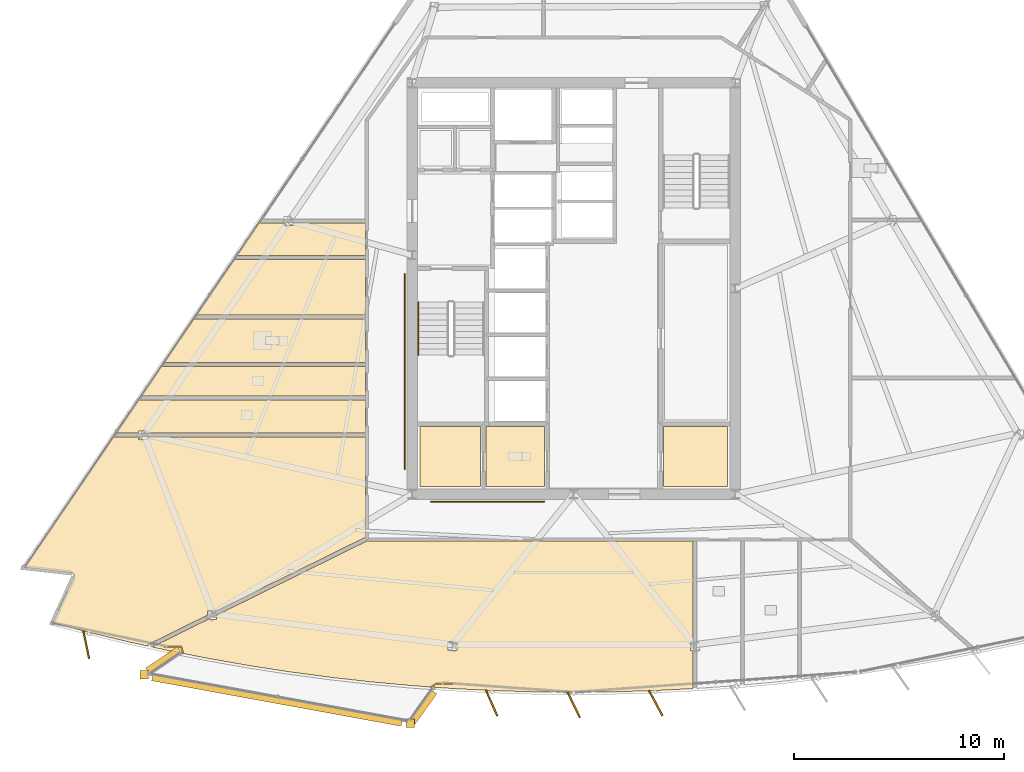
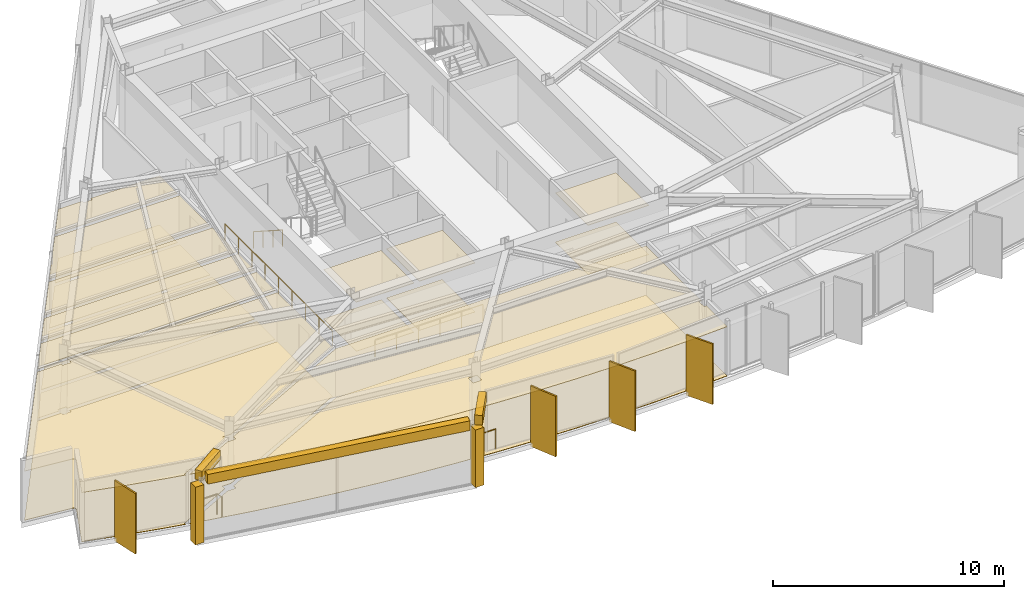
# One storey, part 11 of 14: 25 coverings, 5 railings, 4 shading devices.
"""IFC4 building model written with IfcOpenShell, lengths in metres."""

from ifc_helpers import new_model, si_unit, direction, frame, origin, origin_2d, place, context, subcontext, project, spatial, polyline, rectangle, circle, outline, extrude, material, layer, layer_set, type_object, element, save


model = new_model("IFC4")

# Units and contexts
model_context = context("Model", 3, precision=1e-05, world=origin(), true_north=direction((0.0, 1.0)))
body_context = subcontext(model_context, "Body", "Model", "MODEL_VIEW")
ifc_project = project(units=[si_unit("LENGTHUNIT", "METRE"), si_unit("AREAUNIT", "SQUARE_METRE"), si_unit("VOLUMEUNIT", "CUBIC_METRE"), si_unit("PLANEANGLEUNIT", "RADIAN"), si_unit("MASSUNIT", "GRAM", prefix="KILO")], contexts=[model_context])

# Site, building, storey
site_placement = place(None, origin())
site = spatial("IfcSite", under=ifc_project, at=site_placement, CompositionType="ELEMENT")
building_placement = place(site_placement, origin())
building = spatial("IfcBuilding", under=site, at=building_placement, Name="Savorim Split Tower", CompositionType="ELEMENT")
storey_placement = place(building_placement, frame((0.0, 0.0, 181.800048828125)))
storey = spatial("IfcBuildingStorey", under=building, at=storey_placement, Name="L48", CompositionType="ELEMENT", Elevation=181.800048828125)

# Coverings
ifc_material_1 = material(Name="Mineral Fibre Acoustic Ceiling")
ifc_layer_1 = layer(ifc_material_1, 0.02490234375)
ifc_layer_set_1 = layer_set([ifc_layer_1], Name="COV-CEIL-25")
covering_type_1 = type_object("IfcCoveringType", Name="COV-CEIL-25", PredefinedType="CEILING", material=ifc_layer_set_1)
covering_1_placement = place(storey_placement, frame((0.0, 0.0, 2.599853515625)))
element("IfcCovering", 1, at=covering_1_placement, inside=storey, type_object=covering_type_1, Name="L48 Housekeeping Store Acoustic Ceiling", PredefinedType="CEILING", context=body_context, shape_type="SweptSolid", body=[
    extrude(outline(polyline([(-7.320068359375, -6.179931640625), (-7.320068359375, -9.02001953125), (-4.429931640625, -9.02001953125), (-4.429931640625, -6.179931640625), (-7.320068359375, -6.179931640625)])), origin(), (0.0, 0.0, 1.0), 0.025146484375),
])
covering_2_placement = place(storey_placement, frame((0.0, 0.0, 2.599853515625)))
element("IfcCovering", 2, at=covering_2_placement, inside=storey, type_object=covering_type_1, Name="L48 Accessible WC Acoustic Ceiling", PredefinedType="CEILING", context=body_context, shape_type="SweptSolid", body=[
    extrude(outline(polyline([(-4.169921875, -6.179931640625), (-4.169921875, -9.02001953125), (-1.3798828125, -9.02001953125), (-1.3798828125, -6.179931640625), (-4.169921875, -6.179931640625)])), origin(), (0.0, 0.0, 1.0), 0.025146484375),
])
covering_3_placement = place(storey_placement, frame((0.0, 0.0, 2.599853515625)))
element("IfcCovering", 3, at=covering_3_placement, inside=storey, type_object=covering_type_1, Name="L48 Core IT Server Room Acoustic Ceiling", PredefinedType="CEILING", context=body_context, shape_type="SweptSolid", body=[
    extrude(outline(polyline([(4.280029296875, -6.179931640625), (4.280029296875, -9.02001953125), (7.320068359375, -9.02001953125), (7.320068359375, -6.179931640625), (4.280029296875, -6.179931640625)])), origin(), (0.0, 0.0, 1.0), 0.025146484375),
])
covering_4_placement = place(storey_placement, frame((0.0, 0.0, 2.599853515625)))
element("IfcCovering", 4, at=covering_4_placement, inside=storey, type_object=covering_type_1, Name="L48 Shared Bathroom Acoustic Ceiling", PredefinedType="CEILING", context=body_context, shape_type="SweptSolid", body=[
    extrude(outline(polyline([(-18.104248046875, -1.039306640625), (-19.525390625, -3.12841796875), (-9.919921875, -3.12841796875), (-9.919921875, -1.039306640625), (-18.104248046875, -1.039306640625)])), origin(), (0.0, 0.0, 1.0), 0.025146484375),
])
covering_5_placement = place(storey_placement, frame((0.0, 0.0, 2.599853515625)))
element("IfcCovering", 5, at=covering_5_placement, inside=storey, type_object=covering_type_1, Name="L48 Shared Kitchen Acoustic Ceiling", PredefinedType="CEILING", context=body_context, shape_type="SweptSolid", body=[
    extrude(outline(polyline([(-19.654541015625, -3.318603515625), (-20.6005859375, -4.708984375), (-9.919921875, -4.708984375), (-9.919921875, -3.318603515625), (-19.654541015625, -3.318603515625)])), origin(), (0.0, 0.0, 1.0), 0.025146484375),
])
covering_6_placement = place(storey_placement, frame((0.0, 0.0, 2.599853515625)))
element("IfcCovering", 6, at=covering_6_placement, inside=storey, type_object=covering_type_1, Name="L48 Community Laundry Room Acoustic Ceiling", PredefinedType="CEILING", context=body_context, shape_type="SweptSolid", body=[
    extrude(outline(polyline([(-20.310302734375, -6.37548828125), (-20.310302734375, -6.489990234375), (-9.919921875, -6.489990234375), (-9.919921875, -4.899169921875), (-20.72998046875, -4.899169921875), (-21.81201171875, -6.489990234375), (-20.7314453125, -6.489990234375), (-20.7314453125, -6.37548828125), (-20.310302734375, -6.37548828125)])), origin(), (0.0, 0.0, 1.0), 0.025146484375),
])
covering_7_placement = place(storey_placement, frame((0.0, 0.0, 2.599853515625)))
element("IfcCovering", 7, at=covering_7_placement, inside=storey, type_object=covering_type_1, Name="L48 Maker Workshop Acoustic Ceiling", PredefinedType="CEILING", context=body_context, shape_type="SweptSolid", body=[
    extrude(outline(polyline([(-23.795166015625, -13.255615234375), (-23.794921875, -13.267578125), (-23.7958984375, -13.279541015625), (-23.798095703125, -13.291259765625), (-23.801513671875, -13.302734375), (-23.805908203125, -13.313720703125), (-24.8232421875, -15.528076171875), (-23.080810546875, -15.98388671875), (-21.19140625, -16.436767578125), (-20.253173828125, -16.6416015625), (-20.289794921875, -16.56689453125), (-17.43798828125, -15.1591796875), (-17.43798828125, -14.95166015625), (-17.017578125, -14.95166015625), (-9.9453125, -11.460693359375), (-9.919921875, -11.4482421875), (-9.919921875, -6.679931640625), (-20.310302734375, -6.679931640625), (-20.310302734375, -6.79443359375), (-20.7314453125, -6.79443359375), (-20.7314453125, -6.679931640625), (-21.816162109375, -6.679931640625), (-21.9111328125, -6.679931640625), (-21.9111328125, -6.6357421875), (-26.1669921875, -12.891357421875), (-23.901611328125, -13.144287109375), (-23.889892578125, -13.146484375), (-23.87841796875, -13.1494140625), (-23.8671875, -13.153564453125), (-23.8564453125, -13.158935546875), (-23.84619140625, -13.165283203125), (-23.8369140625, -13.172607421875), (-23.828125, -13.180908203125), (-23.8203125, -13.189697265625), (-23.8134765625, -13.199462890625), (-23.8076171875, -13.2099609375), (-23.802734375, -13.220703125), (-23.799072265625, -13.232177734375), (-23.796630859375, -13.243896484375), (-23.795166015625, -13.255615234375)])), origin(), (0.0, 0.0, 1.0), 0.025146484375),
])
covering_8_placement = place(storey_placement, frame((0.0, 0.0, 2.599853515625)))
element("IfcCovering", 8, at=covering_8_placement, inside=storey, type_object=covering_type_1, Name="L48 Maker Workshop Acoustic Ceiling", PredefinedType="CEILING", context=body_context, shape_type="SweptSolid", body=[
    extrude(outline(polyline([(-1.942626953125, -18.81201171875), (0.0, -18.83203125), (1.942626953125, -18.81201171875), (3.884765625, -18.75244140625), (5.6787109375, -18.66064453125), (5.6787109375, -16.84130859375), (5.563232421875, -16.84130859375), (5.563232421875, -16.422119140625), (5.6787109375, -16.422119140625), (5.6787109375, -11.6201171875), (-9.780029296875, -11.6201171875), (-9.793701171875, -11.619384765625), (-9.807373046875, -11.6171875), (-9.820556640625, -11.614013671875), (-9.823974609375, -11.61279296875), (-17.016845703125, -15.1630859375), (-17.016845703125, -15.37060546875), (-17.437255859375, -15.37060546875), (-20.085693359375, -16.677978515625), (-19.29345703125, -16.85107421875), (-17.38720703125, -17.226318359375), (-15.4736328125, -17.5625), (-13.5537109375, -17.859619140625), (-11.6279296875, -18.1171875), (-9.697509765625, -18.33544921875), (-7.7626953125, -18.51416015625), (-5.824951171875, -18.653076171875), (-3.884765625, -18.75244140625), (-1.942626953125, -18.81201171875)]), holes=[polyline([(-5.984375, -16.84130859375), (-5.563232421875, -16.84130859375), (-5.563232421875, -16.422119140625), (-5.984375, -16.422119140625), (-5.984375, -16.84130859375)])]), origin(), (0.0, 0.0, 1.0), 0.025146484375),
])
covering_9_placement = place(storey_placement, frame((0.0, 0.0, 2.599853515625)))
element("IfcCovering", 9, at=covering_9_placement, inside=storey, type_object=covering_type_1, Name="L48 Co-Living Bedroom Acoustic Ceiling", PredefinedType="CEILING", context=body_context, shape_type="SweptSolid", body=[
    extrude(outline(polyline([(-13.793701171875, 3.518798828125), (-14.878173828125, 3.518798828125), (-14.97314453125, 3.518798828125), (-14.97314453125, 3.56298828125), (-16.056396484375, 1.970703125), (-9.919921875, 1.970703125), (-9.919921875, 3.518798828125), (-13.37255859375, 3.518798828125), (-13.37255859375, 3.404296875), (-13.793701171875, 3.404296875), (-13.793701171875, 3.518798828125)])), origin(), (0.0, 0.0, 1.0), 0.025146484375),
])
covering_10_placement = place(storey_placement, frame((0.0, 0.0, 2.599853515625)))
element("IfcCovering", 10, at=covering_10_placement, inside=storey, type_object=covering_type_1, Name="L48 Quiet Study Room Acoustic Ceiling", PredefinedType="CEILING", context=body_context, shape_type="SweptSolid", body=[
    extrude(outline(polyline([(-16.185791015625, 1.78076171875), (-17.974853515625, -0.849365234375), (-9.919921875, -0.849365234375), (-9.919921875, 1.78076171875), (-16.185791015625, 1.78076171875)])), origin(), (0.0, 0.0, 1.0), 0.025146484375),
])
ifc_material_2 = material(Name="Porcelain Stoneware Flooring", Category="masonry")
ifc_layer_2 = layer(ifc_material_2, 0.02001953125)
ifc_layer_set_2 = layer_set([ifc_layer_2], Name="COV-FLOR-20")
covering_type_2 = type_object("IfcCoveringType", Name="COV-FLOR-20", PredefinedType="FLOORING", material=ifc_layer_set_2)
covering_11_placement = place(storey_placement, origin())
element("IfcCovering", 11, at=covering_11_placement, inside=storey, type_object=covering_type_2, Name="L48 Housekeeping Store Porcelain Flooring", PredefinedType="FLOORING", context=body_context, shape_type="SweptSolid", body=[
    extrude(outline(polyline([(-7.320068359375, -6.179931640625), (-7.320068359375, -9.02001953125), (-4.429931640625, -9.02001953125), (-4.429931640625, -6.179931640625), (-7.320068359375, -6.179931640625)])), origin(), (0.0, 0.0, 1.0), 0.02001953125),
])
covering_12_placement = place(storey_placement, origin())
element("IfcCovering", 12, at=covering_12_placement, inside=storey, type_object=covering_type_2, Name="L48 Accessible WC Porcelain Flooring", PredefinedType="FLOORING", context=body_context, shape_type="SweptSolid", body=[
    extrude(outline(polyline([(-4.169921875, -6.179931640625), (-4.169921875, -9.02001953125), (-1.3798828125, -9.02001953125), (-1.3798828125, -6.179931640625), (-4.169921875, -6.179931640625)])), origin(), (0.0, 0.0, 1.0), 0.02001953125),
])
covering_13_placement = place(storey_placement, origin())
element("IfcCovering", 13, at=covering_13_placement, inside=storey, type_object=covering_type_2, Name="L48 Core IT Server Room Porcelain Flooring", PredefinedType="FLOORING", context=body_context, shape_type="SweptSolid", body=[
    extrude(outline(polyline([(4.280029296875, -6.179931640625), (4.280029296875, -9.02001953125), (7.320068359375, -9.02001953125), (7.320068359375, -6.179931640625), (4.280029296875, -6.179931640625)])), origin(), (0.0, 0.0, 1.0), 0.02001953125),
])
covering_14_placement = place(storey_placement, origin())
element("IfcCovering", 14, at=covering_14_placement, inside=storey, type_object=covering_type_2, Name="L48 Shared Bathroom Porcelain Flooring", PredefinedType="FLOORING", context=body_context, shape_type="SweptSolid", body=[
    extrude(outline(polyline([(-18.104248046875, -1.039306640625), (-19.525390625, -3.12841796875), (-9.919921875, -3.12841796875), (-9.919921875, -1.039306640625), (-18.104248046875, -1.039306640625)])), origin(), (0.0, 0.0, 1.0), 0.02001953125),
])
covering_15_placement = place(storey_placement, origin())
element("IfcCovering", 15, at=covering_15_placement, inside=storey, type_object=covering_type_2, Name="L48 Shared Kitchen Porcelain Flooring", PredefinedType="FLOORING", context=body_context, shape_type="SweptSolid", body=[
    extrude(outline(polyline([(-19.654541015625, -3.318603515625), (-20.6005859375, -4.708984375), (-9.919921875, -4.708984375), (-9.919921875, -3.318603515625), (-19.654541015625, -3.318603515625)])), origin(), (0.0, 0.0, 1.0), 0.02001953125),
])
covering_16_placement = place(storey_placement, origin())
element("IfcCovering", 16, at=covering_16_placement, inside=storey, type_object=covering_type_2, Name="L48 Community Laundry Room Porcelain Flooring", PredefinedType="FLOORING", context=body_context, shape_type="SweptSolid", body=[
    extrude(outline(polyline([(-20.310302734375, -6.37548828125), (-20.310302734375, -6.489990234375), (-9.919921875, -6.489990234375), (-9.919921875, -4.899169921875), (-20.72998046875, -4.899169921875), (-21.81201171875, -6.489990234375), (-20.7314453125, -6.489990234375), (-20.7314453125, -6.37548828125), (-20.310302734375, -6.37548828125)])), origin(), (0.0, 0.0, 1.0), 0.02001953125),
])
covering_17_placement = place(storey_placement, origin())
element("IfcCovering", 17, at=covering_17_placement, inside=storey, type_object=covering_type_2, Name="L48 Maker Workshop Porcelain Flooring", PredefinedType="FLOORING", context=body_context, shape_type="SweptSolid", body=[
    extrude(outline(polyline([(-23.795166015625, -13.255615234375), (-23.794921875, -13.267578125), (-23.7958984375, -13.279541015625), (-23.798095703125, -13.291259765625), (-23.801513671875, -13.302734375), (-23.805908203125, -13.313720703125), (-24.8232421875, -15.528076171875), (-23.080810546875, -15.98388671875), (-21.19140625, -16.436767578125), (-20.253173828125, -16.6416015625), (-20.289794921875, -16.56689453125), (-17.43798828125, -15.1591796875), (-17.43798828125, -14.95166015625), (-17.017578125, -14.95166015625), (-9.9453125, -11.460693359375), (-9.919921875, -11.4482421875), (-9.919921875, -6.679931640625), (-20.310302734375, -6.679931640625), (-20.310302734375, -6.79443359375), (-20.7314453125, -6.79443359375), (-20.7314453125, -6.679931640625), (-21.816162109375, -6.679931640625), (-21.9111328125, -6.679931640625), (-21.9111328125, -6.6357421875), (-26.1669921875, -12.891357421875), (-23.901611328125, -13.144287109375), (-23.889892578125, -13.146484375), (-23.87841796875, -13.1494140625), (-23.8671875, -13.153564453125), (-23.8564453125, -13.158935546875), (-23.84619140625, -13.165283203125), (-23.8369140625, -13.172607421875), (-23.828125, -13.180908203125), (-23.8203125, -13.189697265625), (-23.8134765625, -13.199462890625), (-23.8076171875, -13.2099609375), (-23.802734375, -13.220703125), (-23.799072265625, -13.232177734375), (-23.796630859375, -13.243896484375), (-23.795166015625, -13.255615234375)])), origin(), (0.0, 0.0, 1.0), 0.02001953125),
])
covering_18_placement = place(storey_placement, origin())
element("IfcCovering", 18, at=covering_18_placement, inside=storey, type_object=covering_type_2, Name="L48 Maker Workshop Porcelain Flooring", PredefinedType="FLOORING", context=body_context, shape_type="SweptSolid", body=[
    extrude(outline(polyline([(-1.942626953125, -18.81201171875), (0.0, -18.83203125), (1.942626953125, -18.81201171875), (3.884765625, -18.75244140625), (5.6787109375, -18.66064453125), (5.6787109375, -16.84130859375), (5.563232421875, -16.84130859375), (5.563232421875, -16.422119140625), (5.6787109375, -16.422119140625), (5.6787109375, -11.6201171875), (-9.780029296875, -11.6201171875), (-9.793701171875, -11.619384765625), (-9.807373046875, -11.6171875), (-9.820556640625, -11.614013671875), (-9.823974609375, -11.61279296875), (-17.016845703125, -15.1630859375), (-17.016845703125, -15.37060546875), (-17.437255859375, -15.37060546875), (-20.085693359375, -16.677978515625), (-19.29345703125, -16.85107421875), (-17.38720703125, -17.226318359375), (-15.4736328125, -17.5625), (-13.5537109375, -17.859619140625), (-11.6279296875, -18.1171875), (-9.697509765625, -18.33544921875), (-7.7626953125, -18.51416015625), (-5.824951171875, -18.653076171875), (-3.884765625, -18.75244140625), (-1.942626953125, -18.81201171875)]), holes=[polyline([(-5.984375, -16.84130859375), (-5.563232421875, -16.84130859375), (-5.563232421875, -16.422119140625), (-5.984375, -16.422119140625), (-5.984375, -16.84130859375)])]), origin(), (0.0, 0.0, 1.0), 0.02001953125),
])
covering_19_placement = place(storey_placement, origin())
element("IfcCovering", 19, at=covering_19_placement, inside=storey, type_object=covering_type_2, Name="L48 Co-Living Bedroom Porcelain Flooring", PredefinedType="FLOORING", context=body_context, shape_type="SweptSolid", body=[
    extrude(outline(polyline([(-13.793701171875, 3.518798828125), (-14.878173828125, 3.518798828125), (-14.97314453125, 3.518798828125), (-14.97314453125, 3.56298828125), (-16.056396484375, 1.970703125), (-9.919921875, 1.970703125), (-9.919921875, 3.518798828125), (-13.37255859375, 3.518798828125), (-13.37255859375, 3.404296875), (-13.793701171875, 3.404296875), (-13.793701171875, 3.518798828125)])), origin(), (0.0, 0.0, 1.0), 0.02001953125),
])
covering_20_placement = place(storey_placement, origin())
element("IfcCovering", 20, at=covering_20_placement, inside=storey, type_object=covering_type_2, Name="L48 Quiet Study Room Porcelain Flooring", PredefinedType="FLOORING", context=body_context, shape_type="SweptSolid", body=[
    extrude(outline(polyline([(-16.185791015625, 1.78076171875), (-17.974853515625, -0.849365234375), (-9.919921875, -0.849365234375), (-9.919921875, 1.78076171875), (-16.185791015625, 1.78076171875)])), origin(), (0.0, 0.0, 1.0), 0.02001953125),
])
ifc_material_3 = material(Name="White Porcelain Architectural Cladding")
ifc_layer_3 = layer(ifc_material_3, 0.139892578125)
ifc_layer_set_3 = layer_set([ifc_layer_3], Name="COV-FRM-WHITE")
covering_type_3 = type_object("IfcCoveringType", Name="COV-FRM-WHITE", PredefinedType="CLADDING", material=ifc_layer_set_3)
covering_21_placement = place(storey_placement, frame((0.0, 0.0, 3.079833984375)))
element("IfcCovering", 21, at=covering_21_placement, inside=storey, type_object=covering_type_3, Name="L48 Cantilevered Lounge White Upper Cornice Band W", PredefinedType="CLADDING", context=body_context, shape_type="SweptSolid", body=[
    extrude(outline(polyline([(-18.8935546875, -16.673828125), (-20.386474609375, -17.67919921875), (-20.196533203125, -17.961181640625), (-18.70361328125, -16.955810546875), (-18.8935546875, -16.673828125)])), origin(), (0.0, 0.0, 1.0), 0.510009765625),
])
covering_22_placement = place(storey_placement, frame((0.0, 0.0, 3.079833984375)))
element("IfcCovering", 22, at=covering_22_placement, inside=storey, type_object=covering_type_3, Name="L48 Cantilevered Lounge White Upper Cornice Band F", PredefinedType="CLADDING", context=body_context, shape_type="SweptSolid", body=[
    extrude(outline(polyline([(-20.108642578125, -18.2841796875), (-8.2216796875, -20.453369140625), (-8.16064453125, -20.118896484375), (-20.047607421875, -17.94970703125), (-20.108642578125, -18.2841796875)])), origin(), (0.0, 0.0, 1.0), 0.510009765625),
])
covering_23_placement = place(storey_placement, frame((0.0, 0.0, 3.079833984375)))
element("IfcCovering", 23, at=covering_23_placement, inside=storey, type_object=covering_type_3, Name="L48 Cantilevered Lounge White Upper Cornice Band E", PredefinedType="CLADDING", context=body_context, shape_type="SweptSolid", body=[
    extrude(outline(polyline([(-7.56298828125, -20.371337890625), (-6.51708984375, -18.906494140625), (-6.7939453125, -18.708984375), (-7.83984375, -20.173828125), (-7.56298828125, -20.371337890625)])), origin(), (0.0, 0.0, 1.0), 0.510009765625),
])
covering_24_placement = place(storey_placement, frame((0.0, 0.0, 0.010009765625)))
element("IfcCovering", 24, at=covering_24_placement, inside=storey, type_object=covering_type_3, Name="L48 Cantilevered Lounge White Frame Corner Post 1", PredefinedType="CLADDING", context=body_context, shape_type="SweptSolid", body=[
    extrude(outline(polyline([(-20.672607421875, -18.205810546875), (-20.252685546875, -18.205810546875), (-20.252685546875, -17.785888671875), (-20.672607421875, -17.785888671875), (-20.672607421875, -18.205810546875)])), origin(), (0.0, 0.0, 1.0), 3.050048828125),
])
covering_25_placement = place(storey_placement, frame((0.0, 0.0, 0.010009765625)))
element("IfcCovering", 25, at=covering_25_placement, inside=storey, type_object=covering_type_3, Name="L48 Cantilevered Lounge White Frame Corner Post 2", PredefinedType="CLADDING", context=body_context, shape_type="SweptSolid", body=[
    extrude(outline(polyline([(-7.99853515625, -20.518798828125), (-7.57861328125, -20.518798828125), (-7.57861328125, -20.0986328125), (-7.99853515625, -20.0986328125), (-7.99853515625, -20.518798828125)])), origin(), (0.0, 0.0, 1.0), 3.050048828125),
])

# Railings
ifc_material_4 = material(Name="Galvanised Painted Steel Balustrade", Category="steel")
railing_type_1 = type_object("IfcRailingType", Name="RLG-BAL-1100", PredefinedType="BALUSTRADE", material=ifc_material_4)
railing_1_placement = place(storey_placement, frame((-19.484130859375, -16.66162109375, 0.0)))
element("IfcRailing", 26, at=railing_1_placement, inside=storey, type_object=railing_type_1, Name="L48 Cantilevered Lounge West Edge Closure Guard", PredefinedType="BALUSTRADE", context=body_context, shape_type="SweptSolid", body=[
    extrude(circle(Radius=0.02392578125, at=origin_2d()), frame((0.0, 0.0, 1.076171875), z_axis=(1.0, 0.0, 0.0), x_axis=(0.0, 1.0, 0.0)), (0.0, 0.0, 1.0), 0.780029296875),
    extrude(circle(Radius=0.02392578125, at=origin_2d()), frame((0.780029296875, 0.0, 1.076171875), z_axis=(0.306415654855, -0.951897813034, 0.0), x_axis=(0.951897813034, 0.306415654855, 0.0)), (0.0, 0.0, 1.0), 0.29150390625),
    extrude(circle(Radius=0.02099609375, at=origin_2d()), origin(), (0.0, 0.0, 1.0), 1.052001953125),
    extrude(circle(Radius=0.02099609375, at=origin_2d()), frame((0.780029296875, 0.0, 0.0)), (0.0, 0.0, 1.0), 1.052001953125),
    extrude(circle(Radius=0.02099609375, at=origin_2d()), frame((0.869384765625, -0.277587890625, 0.0)), (0.0, 0.0, 1.0), 1.052001953125),
])
railing_2_placement = place(storey_placement, frame((-6.78466796875, -18.59033203125, 0.0)))
element("IfcRailing", 27, at=railing_2_placement, inside=storey, type_object=railing_type_1, Name="L48 Cantilevered Lounge East Edge Closure Guard", PredefinedType="BALUSTRADE", context=body_context, shape_type="SweptSolid", body=[
    extrude(circle(Radius=0.02392578125, at=origin_2d()), frame((0.0, 0.0, 1.076171875), z_axis=(0.823681517704, 0.567052693665, 0.0), x_axis=(-0.567052693665, 0.823681517704, 0.0)), (0.0, 0.0, 1.0), 0.27685546875),
    extrude(circle(Radius=0.02392578125, at=origin_2d()), frame((0.22802734375, 0.156982421875, 1.076171875), z_axis=(1.0, 0.0, 0.0), x_axis=(0.0, 1.0, 0.0)), (0.0, 0.0, 1.0), 0.780029296875),
    extrude(circle(Radius=0.02099609375, at=origin_2d()), origin(), (0.0, 0.0, 1.0), 1.052001953125),
    extrude(circle(Radius=0.02099609375, at=origin_2d()), frame((0.22802734375, 0.156982421875, 0.0)), (0.0, 0.0, 1.0), 1.052001953125),
    extrude(circle(Radius=0.02099609375, at=origin_2d()), frame((1.008056640625, 0.156982421875, 0.0)), (0.0, 0.0, 1.0), 1.052001953125),
])
railing_type_2 = type_object("IfcRailingType", Name="RLG-HR-900", PredefinedType="HANDRAIL", material=ifc_material_4)
railing_3_placement = place(storey_placement, frame((-7.39990234375, -0.25, 0.179931640625)))
element("IfcRailing", 28, at=railing_3_placement, inside=storey, type_object=railing_type_2, Name="L48 ST-1 stair handrail 1", PredefinedType="HANDRAIL", context=body_context, shape_type="SweptSolid", body=[
    extrude(circle(Radius=0.02392578125, at=origin_2d()), frame((0.0, 0.0, 0.8759765625), z_axis=(0.0, -0.841162588446, 0.540782303519), x_axis=(1.0, 0.0, 0.0)), (0.0, 0.0, 1.0), 2.995849609375),
    extrude(circle(Radius=0.02099609375, at=origin_2d()), origin(), (0.0, 0.0, 1.0), 0.851806640625),
    extrude(circle(Radius=0.02099609375, at=origin_2d()), frame((0.0, -0.840087890625, 0.5400390625)), (0.0, 0.0, 1.0), 0.851806640625),
    extrude(circle(Radius=0.02099609375, at=origin_2d()), frame((0.0, -1.679931640625, 1.080078125)), (0.0, 0.0, 1.0), 0.851806640625),
    extrude(circle(Radius=0.02099609375, at=origin_2d()), frame((0.0, -2.52001953125, 1.6201171875)), (0.0, 0.0, 1.0), 0.851806640625),
])
railing_4_placement = place(storey_placement, frame((-6.800048828125, -9.75, 0.0)))
element("IfcRailing", 29, at=railing_4_placement, inside=storey, type_object=railing_type_2, Name="L48 Corridor South Accessible Handrail", PredefinedType="HANDRAIL", context=body_context, shape_type="SweptSolid", body=[
    extrude(circle(Radius=0.02392578125, at=origin_2d()), frame((0.0, 0.0, 0.8759765625), z_axis=(1.0, 0.0, 0.0), x_axis=(0.0, 1.0, 0.0)), (0.0, 0.0, 1.0), 5.400146484375),
    extrude(circle(Radius=0.02099609375, at=origin_2d()), origin(), (0.0, 0.0, 1.0), 0.851806640625),
    extrude(circle(Radius=0.02099609375, at=origin_2d()), frame((1.080078125, 0.0, 0.0)), (0.0, 0.0, 1.0), 0.851806640625),
    extrude(circle(Radius=0.02099609375, at=origin_2d()), frame((2.16015625, 0.0, 0.0)), (0.0, 0.0, 1.0), 0.851806640625),
    extrude(circle(Radius=0.02099609375, at=origin_2d()), frame((3.239990234375, 0.0, 0.0)), (0.0, 0.0, 1.0), 0.851806640625),
    extrude(circle(Radius=0.02099609375, at=origin_2d()), frame((4.320068359375, 0.0, 0.0)), (0.0, 0.0, 1.0), 0.851806640625),
    extrude(circle(Radius=0.02099609375, at=origin_2d()), frame((5.400146484375, 0.0, 0.0)), (0.0, 0.0, 1.0), 0.851806640625),
])
railing_5_placement = place(storey_placement, frame((-8.050048828125, -8.199951171875, 0.0)))
element("IfcRailing", 30, at=railing_5_placement, inside=storey, type_object=railing_type_2, Name="L48 Corridor West Accessible Handrail", PredefinedType="HANDRAIL", context=body_context, shape_type="SweptSolid", body=[
    extrude(circle(Radius=0.02392578125, at=origin_2d()), frame((0.0, 0.0, 0.8759765625), z_axis=(0.0, 1.0, 0.0), x_axis=(-1.0, 0.0, 0.0)), (0.0, 0.0, 1.0), 9.300048828125),
    extrude(circle(Radius=0.02099609375, at=origin_2d()), origin(), (0.0, 0.0, 1.0), 0.851806640625),
    extrude(circle(Radius=0.02099609375, at=origin_2d()), frame((0.0, 1.16259765625, 0.0)), (0.0, 0.0, 1.0), 0.851806640625),
    extrude(circle(Radius=0.02099609375, at=origin_2d()), frame((0.0, 2.324951171875, 0.0)), (0.0, 0.0, 1.0), 0.851806640625),
    extrude(circle(Radius=0.02099609375, at=origin_2d()), frame((0.0, 3.487548828125, 0.0)), (0.0, 0.0, 1.0), 0.851806640625),
    extrude(circle(Radius=0.02099609375, at=origin_2d()), frame((0.0, 4.64990234375, 0.0)), (0.0, 0.0, 1.0), 0.851806640625),
    extrude(circle(Radius=0.02099609375, at=origin_2d()), frame((0.0, 5.8125, 0.0)), (0.0, 0.0, 1.0), 0.851806640625),
    extrude(circle(Radius=0.02099609375, at=origin_2d()), frame((0.0, 6.97509765625, 0.0)), (0.0, 0.0, 1.0), 0.851806640625),
    extrude(circle(Radius=0.02099609375, at=origin_2d()), frame((0.0, 8.137451171875, 0.0)), (0.0, 0.0, 1.0), 0.851806640625),
    extrude(circle(Radius=0.02099609375, at=origin_2d()), frame((0.0, 9.300048828125, 0.0)), (0.0, 0.0, 1.0), 0.851806640625),
])

# Shading devices
ifc_material_5 = material(Name="Terracotta Ceramic-Coated Aluminium Fin", Category="masonry")
shading_device_type = type_object("IfcShadingDeviceType", Name="SHD-FIN-1360", PredefinedType="USERDEFINED", material=ifc_material_5)
for number, where, z_axis, x_axis, name in (
    (31, (-23.2255859375, -16.56201171875, -0.2001953125), (0.0, 0.0, 1.0), (0.206721626106, -0.978399800337, 0.0), "L48 Sawtooth Shading Fin 01"),
    (32, (-3.908935546875, -19.347900390625, -0.2001953125), (0.0, 0.0, 1.0), (0.401230091723, -0.915977299662, 0.0), "L48 Sawtooth Shading Fin 06"),
    (33, (0.0, -19.427978515625, -0.2001953125), (0.0, 0.0, 1.0), (0.438371146789, -0.898794046299, 0.0), "L48 Sawtooth Shading Fin 07"),
    (34, (3.908935546875, -19.347900390625, -0.2001953125), (0.0, 0.0, 1.0), (0.474778051978, -0.880105562623, 0.0), "L48 Sawtooth Shading Fin 08"),
):
    element("IfcShadingDevice", number, at=place(storey_placement, frame(where, z_axis=z_axis, x_axis=x_axis)), inside=storey, type_object=shading_device_type, Name=name, ObjectType="FIN", PredefinedType="USERDEFINED", context=body_context, shape_type="SweptSolid", body=[
        extrude(rectangle(XDim=1.360107421875, YDim=0.080078125, at=origin_2d()), origin(), (0.0, 0.0, 1.0), 3.199951171875),
    ])

save(model, "model.ifc")
